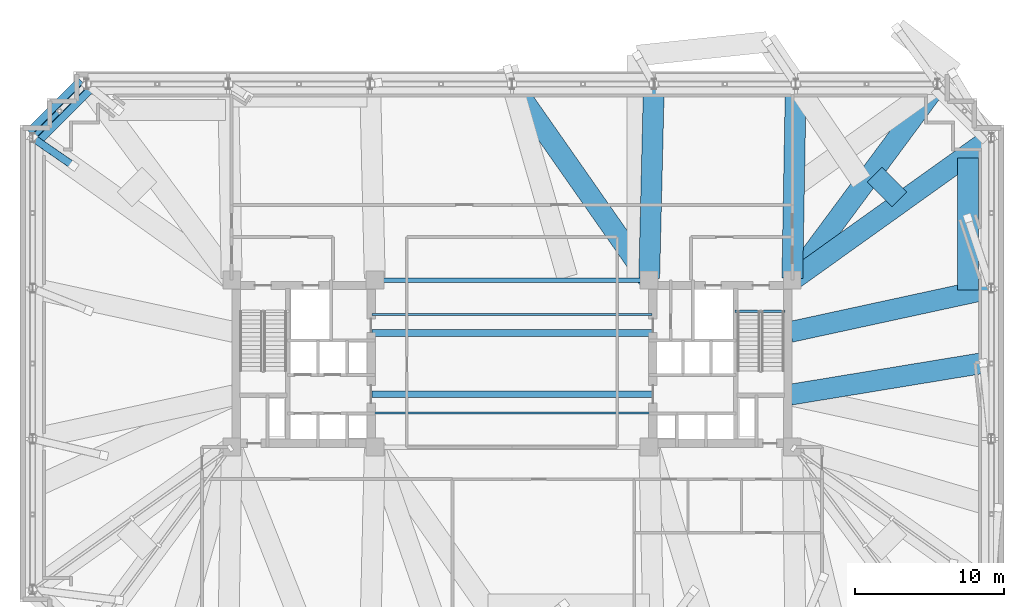
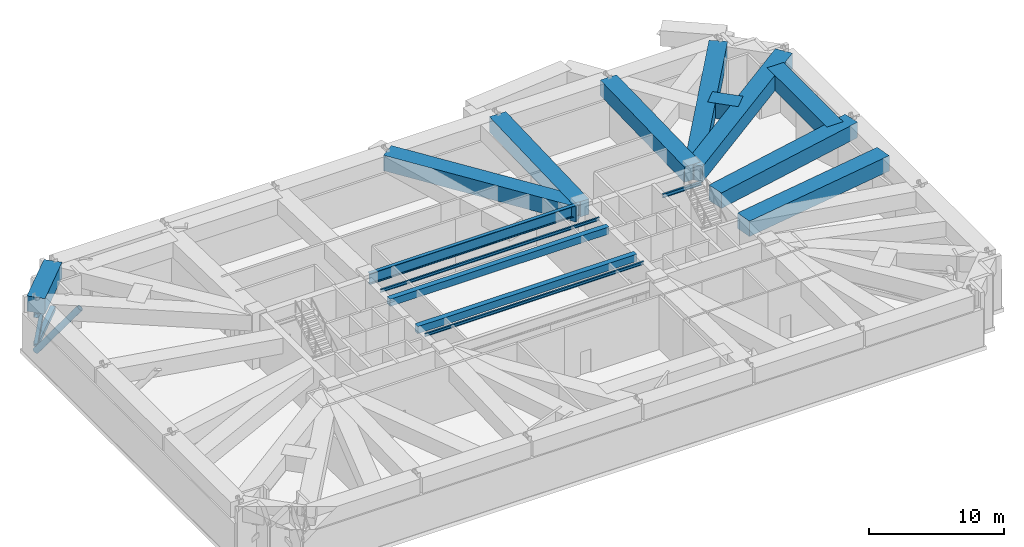
# One storey, part 8 of 20: 16 beams, 4 members.
"""IFC4 building model written with IfcOpenShell, lengths in metres."""

from ifc_helpers import new_model, si_unit, direction, frame, origin, origin_2d, place, context, subcontext, project, spatial, rectangle, hollow_rectangle, hollow_circle, i_section, extrude, material, material_profile, profile_set, type_object, element, save


model = new_model("IFC4")

# Units and contexts
model_context = context("Model", 3, precision=1e-05, world=origin(), true_north=direction((0.0, 1.0)))
body_context = subcontext(model_context, "Body", "Model", "MODEL_VIEW")
ifc_project = project(units=[si_unit("LENGTHUNIT", "METRE"), si_unit("AREAUNIT", "SQUARE_METRE"), si_unit("VOLUMEUNIT", "CUBIC_METRE"), si_unit("PLANEANGLEUNIT", "RADIAN"), si_unit("MASSUNIT", "GRAM", prefix="KILO")], contexts=[model_context])

# Site, building, storey
site_placement = place(None, origin())
site = spatial("IfcSite", under=ifc_project, at=site_placement, CompositionType="ELEMENT")
building_placement = place(site_placement, origin())
building = spatial("IfcBuilding", under=site, at=building_placement, Name="Qobustan Lattice House", CompositionType="ELEMENT")
storey_placement = place(building_placement, frame((0.0, 0.0, 73.89990234375)))
storey = spatial("IfcBuildingStorey", under=building, at=storey_placement, Name="L20", CompositionType="ELEMENT", Elevation=73.89990234375)

# Beams
ifc_material_1 = material(Name="Steel S355", Category="steel")
ifc_material_profile_1 = material_profile(ifc_material_1, i_section(OverallWidth=0.135009765625, OverallDepth=0.27001953125, WebThickness=0.006591796875, FlangeThickness=0.01025390625, FilletRadius=0.014892578125, at=origin_2d()), Name="IPE270")
ifc_profile_set_1 = profile_set([ifc_material_profile_1], Name="Steel S355")
beam_type_1 = type_object("IfcBeamType", Name="BM-JST-IPE270", PredefinedType="JOIST", material=ifc_profile_set_1)
for number, where, z_axis, x_axis, name in (
    (1, (-9.39990234375, -3.300048828125, 4.68505859375), (1.0, 0.0, 0.0), (0.0, 1.0, 0.0), "L20 central span floor joist 1"),
    (2, (-9.39990234375, 3.300048828125, 4.68505859375), (1.0, 0.0, 0.0), (0.0, 1.0, 0.0), "L20 central span floor joist 2"),
):
    element("IfcBeam", number, at=place(storey_placement, frame(where, z_axis=z_axis, x_axis=x_axis)), inside=storey, type_object=beam_type_1, Name=name, PredefinedType="JOIST", context=body_context, shape_type="SweptSolid", body=[
        extrude(i_section(OverallWidth=0.135009765625, OverallDepth=0.27001953125, WebThickness=0.006591796875, FlangeThickness=0.01025390625, FilletRadius=0.014892578125, at=origin_2d()), origin(), (0.0, 0.0, 1.0), 18.7998046875),
    ])
ifc_material_2 = material(Name="Concrete C50/60", Category="concrete")
ifc_material_profile_2 = material_profile(ifc_material_2, rectangle(XDim=0.449951171875, YDim=0.64990234375, at=origin_2d()), Name="RC450x650")
ifc_profile_set_2 = profile_set([ifc_material_profile_2], Name="Concrete C50/60")
beam_type_2 = type_object("IfcBeamType", Name="BM-LINTEL-450x650", PredefinedType="LINTEL", material=ifc_profile_set_2)
for number, where, z_axis, x_axis, name in (
    (3, (-9.39990234375, -2.050048828125, 4.4951171875), (1.0, 0.0, 0.0), (0.0, 1.0, 0.0), "L20 reinforced concrete portal lintel LN-W1"),
    (4, (-9.39990234375, 2.050048828125, 4.4951171875), (1.0, 0.0, 0.0), (0.0, 1.0, 0.0), "L20 reinforced concrete portal lintel LN-E1"),
):
    element("IfcBeam", number, at=place(storey_placement, frame(where, z_axis=z_axis, x_axis=x_axis)), inside=storey, type_object=beam_type_2, Name=name, PredefinedType="LINTEL", context=body_context, shape_type="SweptSolid", body=[
        extrude(rectangle(XDim=0.449951171875, YDim=0.64990234375, at=origin_2d()), origin(), (0.0, 0.0, 1.0), 18.7998046875),
    ])
ifc_material_3 = material(Name="Steel S355", Category="steel")
ifc_material_profile_3 = material_profile(ifc_material_3, i_section(OverallWidth=0.159912109375, OverallDepth=0.330078125, WebThickness=0.007568359375, FlangeThickness=0.011474609375, FilletRadius=0.01806640625, at=origin_2d()), Name="IPE330")
ifc_profile_set_3 = profile_set([ifc_material_profile_3], Name="Steel S355")
beam_type_3 = type_object("IfcBeamType", Name="BM-SPD-IPE330", PredefinedType="SPANDREL", material=ifc_profile_set_3)
beam_1_placement = place(storey_placement, frame((14.949951171875, 3.52001953125, 4.655029296875), z_axis=(1.0, 0.0, 0.0), x_axis=(0.0, 1.0, 0.0)))
element("IfcBeam", 5, at=beam_1_placement, inside=storey, type_object=beam_type_3, Name="L20 east stair landing trimmer beam", PredefinedType="SPANDREL", context=body_context, shape_type="SweptSolid", body=[
    extrude(i_section(OverallWidth=0.159912109375, OverallDepth=0.330078125, WebThickness=0.007568359375, FlangeThickness=0.011474609375, FilletRadius=0.01806640625, at=origin_2d()), origin(), (0.0, 0.0, 1.0), 3.35009765625),
])
ifc_material_4 = material(Name="Steel S355", Category="steel")
ifc_material_profile_4 = material_profile(ifc_material_4, i_section(OverallWidth=0.302001953125, OverallDepth=1.008056640625, WebThickness=0.02099609375, FlangeThickness=0.0400390625, FilletRadius=0.030029296875, at=origin_2d()), Name="HEM1000")
ifc_profile_set_4 = profile_set([ifc_material_profile_4], Name="Steel S355")
beam_type_4 = type_object("IfcBeamType", Name="BM-TRG-HEM1000", PredefinedType="USERDEFINED", material=ifc_profile_set_4)
beam_2_placement = place(storey_placement, frame((-9.050048828125, 5.60009765625, 4.316162109375), z_axis=(1.0, 0.0, 0.0), x_axis=(0.0, 1.0, 0.0)))
element("IfcBeam", 6, at=beam_2_placement, inside=storey, type_object=beam_type_4, Name="L20 core spine girder CG-CN", ObjectType="GIRDER", PredefinedType="USERDEFINED", context=body_context, shape_type="SweptSolid", body=[
    extrude(i_section(OverallWidth=0.302001953125, OverallDepth=1.008056640625, WebThickness=0.02099609375, FlangeThickness=0.0400390625, FilletRadius=0.030029296875, at=origin_2d()), origin(), (0.0, 0.0, 1.0), 18.10009765625),
])
ifc_material_5 = material(Name="Concrete C60/75", Category="concrete")
ifc_material_profile_5 = material_profile(ifc_material_5, rectangle(XDim=1.39990234375, YDim=1.39990234375, at=origin_2d()), Name="RC1400x1400")
ifc_profile_set_5 = profile_set([ifc_material_profile_5], Name="Concrete C60/75")
beam_type_5 = type_object("IfcBeamType", Name="BM-TRG-RC1400", PredefinedType="USERDEFINED", material=ifc_profile_set_5)
beam_3_placement = place(storey_placement, frame((-28.62060546875, 18.67919921875, 4.1201171875), z_axis=(-0.70713173775, -0.707081823743, 0.0), x_axis=(0.707081823743, -0.70713173775, 0.0)))
element("IfcBeam", 7, at=beam_3_placement, inside=storey, type_object=beam_type_5, Name="L20 TT1 lower perimeter transfer girder N7-W1", ObjectType="GIRDER", PredefinedType="USERDEFINED", context=body_context, shape_type="SweptSolid", body=[
    extrude(rectangle(XDim=1.39990234375, YDim=1.39990234375, at=origin_2d()), origin(), (0.0, 0.0, 1.0), 4.89111328125),
])
beam_4_placement = place(storey_placement, frame((18.667236328125, 2.12548828125, 4.1201171875), z_axis=(0.977272930784, 0.211984949366, 0.0), x_axis=(-0.211984949366, 0.977272930784, 0.0)))
element("IfcBeam", 8, at=beam_4_placement, inside=storey, type_object=beam_type_5, Name="L20 TT1 radial transfer girder E3", ObjectType="GIRDER", PredefinedType="USERDEFINED", context=body_context, shape_type="SweptSolid", body=[
    extrude(rectangle(XDim=1.39990234375, YDim=1.39990234375, at=origin_2d()), origin(), (0.0, 0.0, 1.0), 13.67626953125),
])
beam_5_placement = place(storey_placement, frame((18.897705078125, 5.669921875, 4.1201171875), z_axis=(0.813327350359, 0.581806343347, 0.0), x_axis=(-0.581806343347, 0.813327350359, 0.0)))
element("IfcBeam", 9, at=beam_5_placement, inside=storey, type_object=beam_type_5, Name="L20 TT1 radial transfer girder E4", ObjectType="GIRDER", PredefinedType="USERDEFINED", context=body_context, shape_type="SweptSolid", body=[
    extrude(rectangle(XDim=1.39990234375, YDim=1.39990234375, at=origin_2d()), origin(), (0.0, 0.0, 1.0), 16.174072265625),
])
beam_6_placement = place(storey_placement, frame((18.87158203125, 5.6962890625, 4.1201171875), z_axis=(0.595585839157, 0.803291670688, 0.0), x_axis=(-0.803291670688, 0.595585839157, 0.0)))
element("IfcBeam", 10, at=beam_6_placement, inside=storey, type_object=beam_type_5, Name="L20 TT1 radial transfer girder N1", ObjectType="GIRDER", PredefinedType="USERDEFINED", context=body_context, shape_type="SweptSolid", body=[
    extrude(rectangle(XDim=1.39990234375, YDim=1.39990234375, at=origin_2d()), origin(), (0.0, 0.0, 1.0), 16.130126953125),
])
beam_7_placement = place(storey_placement, frame((18.802001953125, 5.719970703125, 4.1201171875), z_axis=(0.017754722816, 0.999842372486, 0.0), x_axis=(-0.999842372486, 0.017754722816, 0.0)))
element("IfcBeam", 11, at=beam_7_placement, inside=storey, type_object=beam_type_5, Name="L20 TT1 radial transfer girder N2", ObjectType="GIRDER", PredefinedType="USERDEFINED", context=body_context, shape_type="SweptSolid", body=[
    extrude(rectangle(XDim=1.39990234375, YDim=1.39990234375, at=origin_2d()), origin(), (0.0, 0.0, 1.0), 12.911865234375),
])
beam_8_placement = place(storey_placement, frame((9.202880859375, 5.719970703125, 4.1201171875), z_axis=(0.024085750634, 0.999709896228, 0.0), x_axis=(-0.999709896228, 0.024085750634, 0.0)))
element("IfcBeam", 12, at=beam_8_placement, inside=storey, type_object=beam_type_5, Name="L20 TT1 radial transfer girder N3", ObjectType="GIRDER", PredefinedType="USERDEFINED", context=body_context, shape_type="SweptSolid", body=[
    extrude(rectangle(XDim=1.39990234375, YDim=1.39990234375, at=origin_2d()), origin(), (0.0, 0.0, 1.0), 12.91357421875),
])
beam_9_placement = place(storey_placement, frame((9.131103515625, 5.6982421875, 4.1201171875), z_axis=(-0.57324570132, 0.819383527976, 0.0), x_axis=(-0.819383527976, -0.57324570132, 0.0)))
element("IfcBeam", 13, at=beam_9_placement, inside=storey, type_object=beam_type_5, Name="L20 TT1 radial transfer girder N4", ObjectType="GIRDER", PredefinedType="USERDEFINED", context=body_context, shape_type="SweptSolid", body=[
    extrude(rectangle(XDim=1.39990234375, YDim=1.39990234375, at=origin_2d()), origin(), (0.0, 0.0, 1.0), 15.80859375),
])
beam_10_placement = place(storey_placement, frame((24.318115234375, 12.677001953125, 4.1201171875), z_axis=(0.707055056174, -0.707158502415, 0.0), x_axis=(0.707158502415, 0.707055056174, 0.0)))
element("IfcBeam", 14, at=beam_10_placement, inside=storey, type_object=beam_type_5, Name="L20 TT1 quadrant transfer tie girder 1", ObjectType="GIRDER", PredefinedType="USERDEFINED", context=body_context, shape_type="SweptSolid", body=[
    extrude(rectangle(XDim=1.39990234375, YDim=1.39990234375, at=origin_2d()), origin(), (0.0, 0.0, 1.0), 2.360107421875),
])
beam_11_placement = place(storey_placement, frame((18.66845703125, -2.08056640625, 4.1201171875), z_axis=(0.986783327161, 0.162045256758, 0.0), x_axis=(-0.162045256758, 0.986783327161, 0.0)))
element("IfcBeam", 15, at=beam_11_placement, inside=storey, type_object=beam_type_5, Name="L20 TT1 primary column transfer girder E2", ObjectType="GIRDER", PredefinedType="USERDEFINED", context=body_context, shape_type="SweptSolid", body=[
    extrude(rectangle(XDim=1.39990234375, YDim=1.39990234375, at=origin_2d()), origin(), (0.0, 0.0, 1.0), 13.442138671875),
])
beam_12_placement = place(storey_placement, frame((30.5771484375, 4.928955078125, 4.1201171875), z_axis=(0.0, 1.0, 0.0), x_axis=(-1.0, 0.0, 0.0)))
element("IfcBeam", 16, at=beam_12_placement, inside=storey, type_object=beam_type_5, Name="L20 TT1 primary column transfer girder E3", ObjectType="GIRDER", PredefinedType="USERDEFINED", context=body_context, shape_type="SweptSolid", body=[
    extrude(rectangle(XDim=1.39990234375, YDim=1.39990234375, at=origin_2d()), origin(), (0.0, 0.0, 1.0), 8.875732421875),
])

# Members
ifc_material_6 = material(Name="Steel S355", Category="steel")
ifc_material_profile_6 = material_profile(ifc_material_6, hollow_rectangle(XDim=0.300048828125, YDim=0.300048828125, WallThickness=0.01611328125, at=origin_2d()), Name="SHS300x300x16")
ifc_profile_set_6 = profile_set([ifc_material_profile_6], Name="Steel S355")
member_type_1 = type_object("IfcMemberType", Name="MEM-BRC-SHS300", PredefinedType="BRACE", material=ifc_profile_set_6)
member_1_placement = place(storey_placement, frame((-30.35009765625, 16.949951171875, 3.14013671875), z_axis=(-0.485446057806, -0.485446057806, -0.727106766521), x_axis=(0.707106781187, -0.707106781187, 0.0)))
element("IfcMember", 17, at=member_1_placement, inside=storey, type_object=member_type_1, Name="L20 TT1 belt truss web diagonal N7-W1 B", PredefinedType="BRACE", context=body_context, shape_type="SweptSolid", body=[
    extrude(hollow_rectangle(XDim=0.300048828125, YDim=0.300048828125, WallThickness=0.01611328125, at=origin_2d()), origin(), (0.0, 0.0, 1.0), 3.562255859375),
])
ifc_material_7 = material(Name="Steel S355", Category="steel")
ifc_material_profile_7 = material_profile(ifc_material_7, hollow_rectangle(XDim=0.35009765625, YDim=0.35009765625, WallThickness=0.01611328125, at=origin_2d()), Name="SHS350x350x16")
ifc_profile_set_7 = profile_set([ifc_material_profile_7], Name="Steel S355")
member_type_2 = type_object("IfcMemberType", Name="MEM-CHD-SHS350", PredefinedType="CHORD", material=ifc_profile_set_7)
member_2_placement = place(storey_placement, frame((-28.62060546875, 18.67919921875, 3.14013671875), z_axis=(-0.70713173775, -0.707081823743, 0.0), x_axis=(0.707081823743, -0.70713173775, 0.0)))
element("IfcMember", 18, at=member_2_placement, inside=storey, type_object=member_type_2, Name="L20 TT1 belt truss top chord N7-W1", PredefinedType="CHORD", context=body_context, shape_type="SweptSolid", body=[
    extrude(hollow_rectangle(XDim=0.35009765625, YDim=0.35009765625, WallThickness=0.01611328125, at=origin_2d()), origin(), (0.0, 0.0, 1.0), 4.89111328125),
])
ifc_material_8 = material(Name="Steel S355", Category="steel")
ifc_material_profile_8 = material_profile(ifc_material_8, hollow_rectangle(XDim=0.39990234375, YDim=0.39990234375, WallThickness=0.02001953125, at=origin_2d()), Name="SHS400x400x20")
ifc_profile_set_8 = profile_set([ifc_material_profile_8], Name="Steel S355")
member_type_3 = type_object("IfcMemberType", Name="MEM-CHD-SHS400", PredefinedType="CHORD", material=ifc_profile_set_8)
member_3_placement = place(storey_placement, frame((-28.62060546875, 18.67919921875, 0.550048828125), z_axis=(-0.70713173775, -0.707081823743, 0.0), x_axis=(0.707081823743, -0.70713173775, 0.0)))
element("IfcMember", 19, at=member_3_placement, inside=storey, type_object=member_type_3, Name="L20 TT1 belt truss bottom chord N7-W1", PredefinedType="CHORD", context=body_context, shape_type="SweptSolid", body=[
    extrude(hollow_rectangle(XDim=0.39990234375, YDim=0.39990234375, WallThickness=0.02001953125, at=origin_2d()), origin(), (0.0, 0.0, 1.0), 4.89111328125),
])
ifc_material_9 = material(Name="Steel S355", Category="steel")
ifc_material_profile_9 = material_profile(ifc_material_9, hollow_circle(Radius=0.25390625, WallThickness=0.02001953125, at=origin_2d()), Name="CHS508x20")
ifc_profile_set_9 = profile_set([ifc_material_profile_9], Name="Steel S355")
member_type_4 = type_object("IfcMemberType", Name="MEM-STR-CHS508", PredefinedType="STRUT", material=ifc_profile_set_9)
member_4_placement = place(storey_placement, frame((-32.14990234375, 15.14990234375, 0.01513671875), z_axis=(0.51757293349, -0.356184198284, 0.777978839951), x_axis=(0.566910069191, 0.823779687447, 0.0)))
element("IfcMember", 20, at=member_4_placement, inside=storey, type_object=member_type_4, Name="L20 TT1 column transfer strut W1", PredefinedType="STRUT", context=body_context, shape_type="SweptSolid", body=[
    extrude(hollow_circle(Radius=0.25390625, WallThickness=0.02001953125, at=origin_2d()), origin(), (0.0, 0.0, 1.0), 5.2763671875),
])

save(model, "model.ifc")
